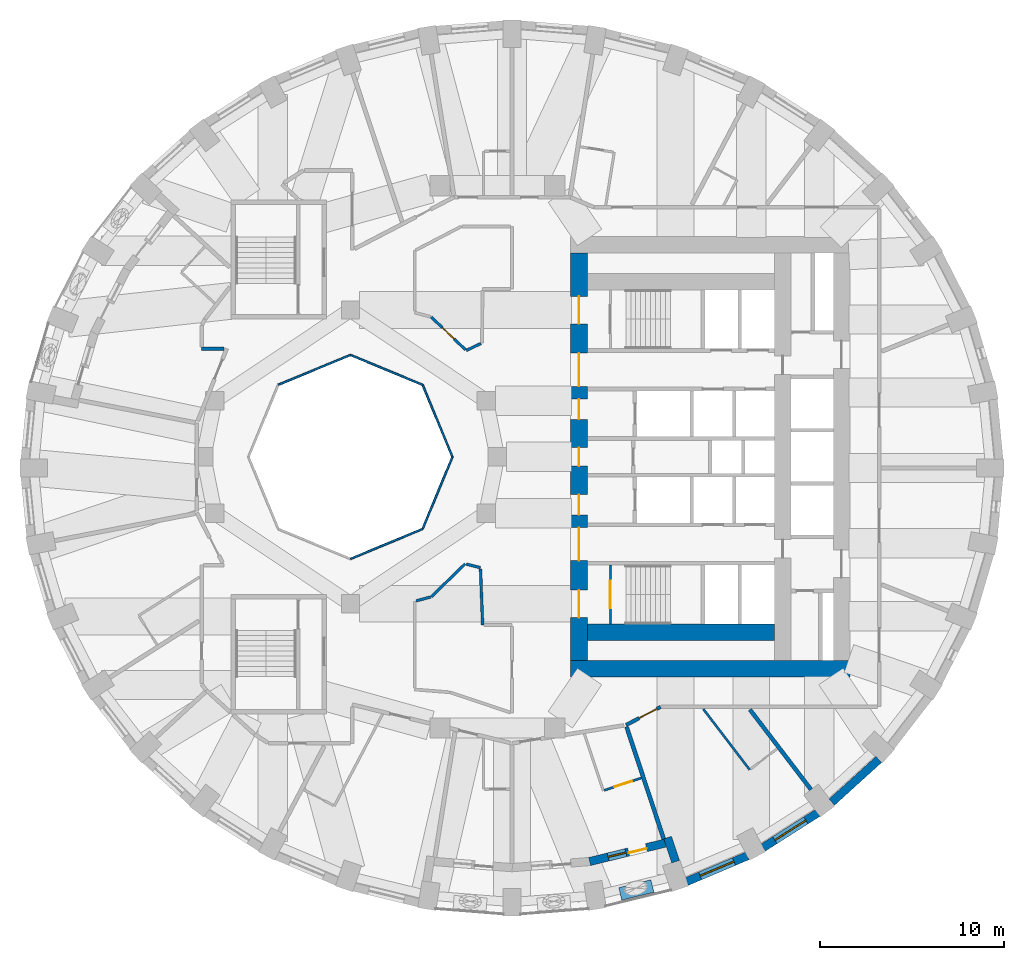
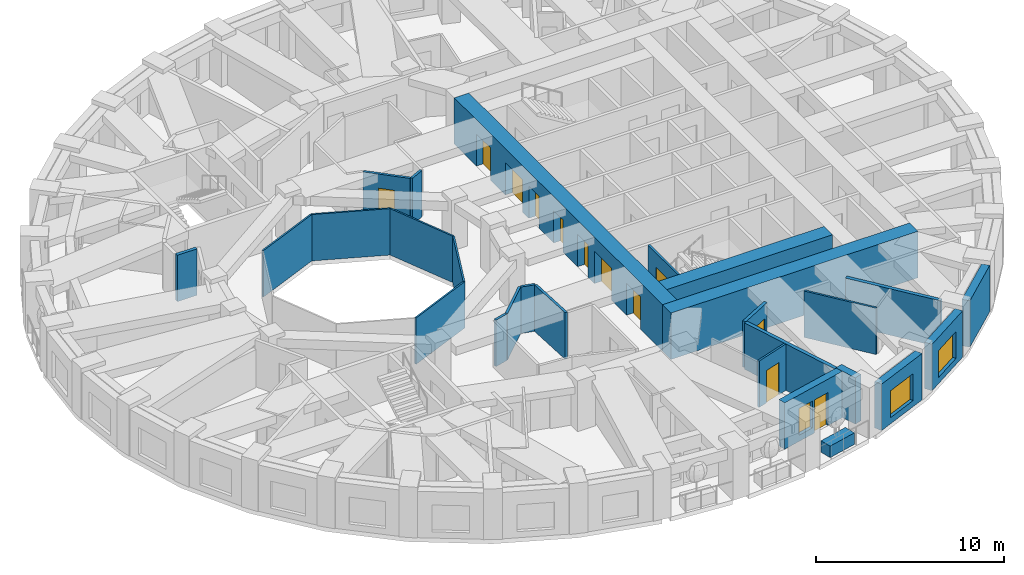
# One storey, part 5 of 13: 27 walls, 12 doors, 3 windows, 15 openings.
"""IFC4 building model written with IfcOpenShell, lengths in metres."""

import ifcopenshell
import ifcopenshell.guid

model = None  # the IFC model being written
_history = None  # IfcOwnerHistory: only IFC2X3 demands one
_inside = {}  # id of a spatial element -> (the spatial element, [elements in it])
_under = {}  # id of a project, library or spatial element -> (it, [spatial elements below it])
_declared = {}  # id of a project -> (the project, [libraries it declares])
_typed = {}  # id of a type object -> (the type object, [elements of that type])
_made_of = {}  # id of a material, layer set ... -> (it, [elements and type objects made of it])


def new_model(schema):
    """Start an empty IFC model of exactly this schema.

    Asked for "IFC4X3", IfcOpenShell would pick the latest addendum, in which some entities
    have other attributes; the version numbers below select the first issue.
    IFC2X3 requires an IfcOwnerHistory on every rooted entity: one is made here for all.
    """
    global model, _history
    if schema == "IFC4X3":
        model = ifcopenshell.file(schema_version=(4, 3, 0, 0))
    else:
        model = ifcopenshell.file(schema=schema)
    _inside.clear()
    _under.clear()
    _declared.clear()
    _typed.clear()
    _made_of.clear()
    _history = None
    if model.schema == "IFC2X3":
        org = make("IfcOrganization", Name="unknown")
        user = make(
            "IfcPersonAndOrganization",
            ThePerson=make("IfcPerson", FamilyName="unknown"),
            TheOrganization=org,
        )
        app = make(
            "IfcApplication",
            ApplicationDeveloper=org,
            Version="unknown",
            ApplicationFullName="unknown",
            ApplicationIdentifier="unknown",
        )
        _history = make(
            "IfcOwnerHistory",
            OwningUser=user,
            OwningApplication=app,
            ChangeAction="ADDED",
            CreationDate=0,
        )
    return model


def make(cls, **values):
    """One entity of the class cls with the attributes given. An attribute that is None is left unset."""
    return model.create_entity(
        cls, **{name: value for name, value in values.items() if value is not None}
    )


def rooted(cls, **values):
    """An entity with a GlobalId (a new one), such as an element, a storey or a relation."""
    return make(cls, GlobalId=ifcopenshell.guid.new(), OwnerHistory=_history, **values)


def si_unit(unit_type, name, prefix=None):
    """IfcSIUnit, for example si_unit("LENGTHUNIT", "METRE", prefix="MILLI")."""
    return make("IfcSIUnit", UnitType=unit_type, Prefix=prefix, Name=name)


def assignment(units):
    """IfcUnitAssignment: the units of a project."""
    return None if units is None else make("IfcUnitAssignment", Units=units)


def point(xyz):
    """IfcCartesianPoint."""
    return None if xyz is None else make("IfcCartesianPoint", Coordinates=xyz)


def direction(xyz):
    """IfcDirection."""
    return None if xyz is None else make("IfcDirection", DirectionRatios=xyz)


def frame(location, z_axis=None, x_axis=None):
    """IfcAxis2Placement3D, a coordinate frame: its origin and axes. An axis left out is left unset."""
    return make(
        "IfcAxis2Placement3D",
        Location=point(location),
        Axis=direction(z_axis),
        RefDirection=direction(x_axis),
    )


def frame_2d(location, x_axis=None):
    """IfcAxis2Placement2D, a coordinate frame in the plane: its origin and x axis."""
    return make(
        "IfcAxis2Placement2D", Location=point(location), RefDirection=direction(x_axis)
    )


def origin():
    """The frame at (0, 0, 0) with its axes left unset."""
    return frame((0.0, 0.0, 0.0))


def place(relative_to, where):
    """IfcLocalPlacement: puts the frame where relative to a parent placement (None: the world)."""
    return make(
        "IfcLocalPlacement", PlacementRelTo=relative_to, RelativePlacement=where
    )


def context(
    kind, dimensions, precision=None, world=None, true_north=None, identifier=None
):
    """IfcGeometricRepresentationContext, for example the 3D "Model" context."""
    return make(
        "IfcGeometricRepresentationContext",
        ContextIdentifier=identifier,
        ContextType=kind,
        CoordinateSpaceDimension=dimensions,
        Precision=precision,
        WorldCoordinateSystem=world,
        TrueNorth=true_north,
    )


def subcontext(parent, identifier, kind, view, scale=None):
    """IfcGeometricRepresentationSubContext, for example "Body" below "Model"."""
    return make(
        "IfcGeometricRepresentationSubContext",
        ContextIdentifier=identifier,
        ContextType=kind,
        ParentContext=parent,
        TargetScale=scale,
        TargetView=view,
    )


def project(units=None, contexts=None):
    """IfcProject with its units and contexts."""
    return rooted(
        "IfcProject",
        Name="project",
        RepresentationContexts=contexts,
        UnitsInContext=assignment(units),
    )


def spatial(cls, under=None, at=None, **own):
    """A site, building, storey or space (cls), placed at a placement, below another one or the project."""
    s = rooted(cls, ObjectPlacement=at, **own)
    if under is not None:
        _under.setdefault(under.id(), (under, []))[1].append(s)
    return s


def profile(cls, at=None, kind="AREA", **sizes):
    """A parametric profile (cls). Its sizes go by their IFC names, for example OverallWidth=200.0."""
    return make(cls, ProfileType=kind, Position=at, **sizes)


def rectangle(**sizes):
    """IfcRectangleProfileDef."""
    return profile("IfcRectangleProfileDef", **sizes)


def extrude(swept, where, along, depth):
    """IfcExtrudedAreaSolid: the profile swept, set in the frame where, extruded along a direction by depth."""
    return make(
        "IfcExtrudedAreaSolid",
        SweptArea=swept,
        Position=where,
        ExtrudedDirection=direction(along),
        Depth=depth,
    )


def shape(context_of_items, identifier, shape_type, items):
    """IfcShapeRepresentation: the items that make up one representation, for example the "Body"."""
    return make(
        "IfcShapeRepresentation",
        ContextOfItems=context_of_items,
        RepresentationIdentifier=identifier,
        RepresentationType=shape_type,
        Items=items,
    )


def material(Name=None, Category=None):
    """IfcMaterial."""
    return make("IfcMaterial", Name=Name, Category=Category)


def layer(
    of_material, thickness, ventilated=None, Name=None, Category=None, Priority=None
):
    """IfcMaterialLayer: one layer of a wall or slab, of a material (None: an air gap)."""
    return make(
        "IfcMaterialLayer",
        Material=of_material,
        LayerThickness=thickness,
        IsVentilated=ventilated,
        Name=Name,
        Category=Category,
        Priority=Priority,
    )


def layer_set(layers, Name=None):
    """IfcMaterialLayerSet."""
    return make("IfcMaterialLayerSet", MaterialLayers=layers, LayerSetName=Name)


def constituent(of_material, Name=None, Category=None, fraction=None):
    """IfcMaterialConstituent: one of the materials an element consists of."""
    return make(
        "IfcMaterialConstituent",
        Name=Name,
        Material=of_material,
        Fraction=fraction,
        Category=Category,
    )


def constituent_set(constituents=None, Name=None):
    """IfcMaterialConstituentSet."""
    return make(
        "IfcMaterialConstituentSet", Name=Name, MaterialConstituents=constituents
    )


def made_of(thing, what):
    """Note that an element or type object is made of a material, layer set ...; save() writes the relation."""
    if what is not None:
        _made_of.setdefault(what.id(), (what, []))[1].append(thing)
    return thing


def type_object(cls, material=None, **own):
    """A type object (cls), such as IfcWallType, which elements share."""
    return made_of(rooted(cls, **own), material)


def element(
    cls,
    number,
    at=None,
    inside=None,
    cuts=None,
    type_object=None,
    material=None,
    context=None,
    identifier="Body",
    shape_type=None,
    held_by="IfcProductDefinitionShape",
    body=None,
    shapes=None,
    **own,
):
    """One element of the class cls, such as IfcWall. Its Tag is "e" and its number.

    at: its placement. inside: the storey or other place that contains it. cuts: it is an
    opening in that element (IfcRelVoidsElement). A single representation is given by context,
    identifier, shape_type and body (its items); several are given by shapes. held_by: the class
    of the entity that holds the representations. save() writes the other relations.
    """
    e = rooted(cls, Tag="e%d" % number, ObjectPlacement=at, **own)
    if body is not None:
        shapes = [shape(context, identifier, shape_type, body)]
    if shapes is not None:
        e.Representation = make(held_by, Representations=shapes)
    if inside is not None:
        _inside.setdefault(inside.id(), (inside, []))[1].append(e)
    if cuts is not None:
        rooted(
            "IfcRelVoidsElement", RelatingBuildingElement=cuts, RelatedOpeningElement=e
        )
    if type_object is not None:
        _typed.setdefault(type_object.id(), (type_object, []))[1].append(e)
    return made_of(e, material)


def fill(opening, filler):
    """IfcRelFillsElement: the door or window that sits in an opening."""
    return rooted(
        "IfcRelFillsElement",
        RelatingOpeningElement=opening,
        RelatedBuildingElement=filler,
    )


def aggregate(whole, parts):
    """IfcRelAggregates: a whole, such as a stair, and the parts it consists of."""
    return rooted("IfcRelAggregates", RelatingObject=whole, RelatedObjects=parts)


def save(model, path):
    """Write the relations noted so far, then the file.

    IfcRelAggregates (storeys below a building ...), IfcRelContainedInSpatialStructure (elements
    in a storey), IfcRelDefinesByType, IfcRelAssociatesMaterial and IfcRelDeclares: one each for
    every whole, place, type object, material and project.
    """
    for whole, parts in _under.values():
        aggregate(whole, parts)
    for where, things in _inside.values():
        rooted(
            "IfcRelContainedInSpatialStructure",
            RelatedElements=things,
            RelatingStructure=where,
        )
    for kind, things in _typed.values():
        rooted("IfcRelDefinesByType", RelatedObjects=things, RelatingType=kind)
    for what, things in _made_of.values():
        rooted("IfcRelAssociatesMaterial", RelatedObjects=things, RelatingMaterial=what)
    for by, libraries in _declared.values():
        rooted("IfcRelDeclares", RelatingContext=by, RelatedDefinitions=libraries)
    model.write(path)


model = new_model("IFC4")

# Units and contexts
model_context = context("Model", 3, precision=1e-05, world=origin(), true_north=direction((0.0, 1.0)))
body_context = subcontext(model_context, "Body", "Model", "MODEL_VIEW")
ifc_project = project(units=[si_unit("LENGTHUNIT", "METRE"), si_unit("AREAUNIT", "SQUARE_METRE"), si_unit("VOLUMEUNIT", "CUBIC_METRE"), si_unit("PLANEANGLEUNIT", "RADIAN"), si_unit("MASSUNIT", "GRAM", prefix="KILO")], contexts=[model_context])

# Site, building, storey
site_placement = place(None, origin())
site = spatial("IfcSite", under=ifc_project, at=site_placement, CompositionType="ELEMENT")
building_placement = place(site_placement, origin())
building = spatial("IfcBuilding", under=site, at=building_placement, Name="Taillehof Tower", CompositionType="ELEMENT")
storey_placement = place(building_placement, frame((0.0, 0.0, 112.0)))
storey = spatial("IfcBuildingStorey", under=building, at=storey_placement, Name="L31", CompositionType="ELEMENT", Elevation=112.0)

# Walls
ifc_material_1 = material(Name="Fire-resisting glass in steel frame", Category="steel")
ifc_layer_1 = layer(ifc_material_1, 0.10009765625)
ifc_layer_set_1 = layer_set([ifc_layer_1], Name="Atrium fire-resisting screen EI 60 100")
wall_type_1 = type_object("IfcWallType", Name="Atrium fire-resisting screen EI 60 100", PredefinedType="PARTITIONING", material=ifc_layer_set_1)
for number, where, z_axis, x_axis, name in (
    (1, (-2.44580078125, 0.0, 0.0), (0.0, 0.0, 1.0), (-0.382730523909, -0.923860025149, 0.0), "Atrium screen"),
    (2, (-4.07275390625, -3.92724609375, 0.0), (0.0, 0.0, 1.0), (-0.923860025149, -0.382730523909, 0.0), "Atrium screen"),
    (3, (-11.92724609375, 3.92724609375, 0.0), (0.0, 0.0, 1.0), (0.923860025149, 0.382730523909, 0.0), "Atrium screen"),
    (4, (-8.0, 5.55419921875, 0.0), (0.0, 0.0, 1.0), (0.923860025149, -0.382730523909, 0.0), "Atrium screen"),
    (5, (-4.07275390625, 3.92724609375, 0.0), (0.0, 0.0, 1.0), (0.382730523909, -0.923860025149, 0.0), "Atrium screen"),
):
    element("IfcWall", number, at=place(storey_placement, frame(where, z_axis=z_axis, x_axis=x_axis)), inside=storey, type_object=wall_type_1, Name=name, PredefinedType="PARTITIONING", context=body_context, shape_type="SweptSolid", body=[
        extrude(rectangle(XDim=4.2509765625, YDim=0.10009765625, at=frame_2d((2.12548828125, 0.0))), origin(), (0.0, 0.0, 1.0), 3.02001953125),
    ])

# Wall, opening, window
ifc_material_2 = material(Name="Brick masonry", Category="masonry")
ifc_layer_2 = layer(ifc_material_2, 0.449951171875)
ifc_layer_set_2 = layer_set([ifc_layer_2], Name="Brick infill wall 450")
wall_type_2 = type_object("IfcWallType", Name="Brick infill wall 450", PredefinedType="SOLIDWALL", material=ifc_layer_set_2)
wall_1_placement = place(storey_placement, frame((10.318115234375, -23.133544921875, 0.0), z_axis=(0.0, 0.0, 1.0), x_axis=(0.920869643542, 0.389870619055, 0.0)))
wall_1 = element("IfcWall", 6, at=wall_1_placement, inside=storey, type_object=wall_type_2, Name="Brick wall L31 bay 30", PredefinedType="SOLIDWALL", context=body_context, shape_type="SweptSolid", body=[
    extrude(rectangle(XDim=3.59130859375, YDim=0.449951171875, at=frame_2d((1.795654296875, 0.0))), origin(), (0.0, 0.0, 1.0), 3.02001953125),
])
opening_1_placement = place(wall_1_placement, frame((0.795654296875, 0.0, 0.39990234375)))
opening_1 = element("IfcOpeningElement", 7, at=opening_1_placement, cuts=wall_1, Name="Opening W2", PredefinedType="OPENING", context=body_context, shape_type="SweptSolid", body=[
    extrude(rectangle(XDim=2.0, YDim=1.75, at=frame_2d((1.0, 0.875))), frame((0.0, 0.23486328125, 0.0), z_axis=(0.0, -1.0, 0.0), x_axis=(1.0, 0.0, 0.0)), (0.0, 0.0, 1.0), 0.469970703125),
])
ifc_material_3 = material(Name="Aluminium window frame with clear double glazing", Category="aluminium")
window_type_1 = type_object("IfcWindowType", Name="Deep-set window 2000x1750", PartitioningType="SINGLE_PANEL", PredefinedType="WINDOW", material=ifc_material_3)
window_1_placement = place(opening_1_placement, origin())
window_1 = element("IfcWindow", 8, at=window_1_placement, inside=storey, type_object=window_type_1, Name="W2", OverallHeight=1.75, OverallWidth=2.0, PartitioningType="SINGLE_PANEL", PredefinedType="WINDOW", context=body_context, shape_type="SweptSolid", body=[
    extrude(rectangle(XDim=2.0, YDim=1.75, at=frame_2d((1.0, 0.875))), frame((0.0, 0.034912109375, 0.0), z_axis=(0.0, -1.0, 0.0), x_axis=(1.0, 0.0, 0.0)), (0.0, 0.0, 1.0), 0.06005859375),
])
fill(opening_1, window_1)

wall_2_placement = place(storey_placement, frame((14.475341796875, -21.287109375, 0.0), z_axis=(0.0, 0.0, 1.0), x_axis=(0.843911841423, 0.536481876587, 0.0)))
wall_2 = element("IfcWall", 9, at=wall_2_placement, inside=storey, type_object=wall_type_2, Name="Brick wall L31 bay 31", PredefinedType="SOLIDWALL", context=body_context, shape_type="SweptSolid", body=[
    extrude(rectangle(XDim=3.5322265625, YDim=0.449951171875, at=frame_2d((1.76611328125, 0.0))), origin(), (0.0, 0.0, 1.0), 3.02001953125),
])
opening_2_placement = place(wall_2_placement, frame((0.76611328125, 0.0, 0.39990234375)))
opening_2 = element("IfcOpeningElement", 10, at=opening_2_placement, cuts=wall_2, Name="Opening W2", PredefinedType="OPENING", context=body_context, shape_type="SweptSolid", body=[
    extrude(rectangle(XDim=2.0, YDim=1.75, at=frame_2d((1.0, 0.875))), frame((0.0, 0.23486328125, 0.0), z_axis=(0.0, -1.0, 0.0), x_axis=(1.0, 0.0, 0.0)), (0.0, 0.0, 1.0), 0.469970703125),
])
window_2_placement = place(opening_2_placement, origin())
window_2 = element("IfcWindow", 11, at=window_2_placement, inside=storey, type_object=window_type_1, Name="W2", OverallHeight=1.75, OverallWidth=2.0, PartitioningType="SINGLE_PANEL", PredefinedType="WINDOW", context=body_context, shape_type="SweptSolid", body=[
    extrude(rectangle(XDim=2.0, YDim=1.75, at=frame_2d((1.0, 0.875))), frame((0.0, 0.034912109375, 0.0), z_axis=(0.0, -1.0, 0.0), x_axis=(1.0, 0.0, 0.0)), (0.0, 0.0, 1.0), 0.06005859375),
])
fill(opening_2, window_2)

# Walls
wall_3_placement = place(storey_placement, frame((18.219482421875, -18.8095703125, 0.0), z_axis=(0.0, 0.0, 1.0), x_axis=(0.740364106106, 0.672206062446, 0.0)))
element("IfcWall", 12, at=wall_3_placement, inside=storey, type_object=wall_type_2, Name="Brick wall L31 bay 32", PredefinedType="SOLIDWALL", context=body_context, shape_type="SweptSolid", body=[
    extrude(rectangle(XDim=3.4638671875, YDim=0.449951171875, at=frame_2d((1.73193359375, 0.0))), origin(), (0.0, 0.0, 1.0), 3.02001953125),
])
wall_4_placement = place(storey_placement, frame((9.71435546875, -22.05322265625, 0.0), z_axis=(0.0, 0.0, 1.0), x_axis=(-0.314647068585, 0.949208734805, 0.0)))
element("IfcWall", 13, at=wall_4_placement, inside=storey, type_object=wall_type_2, Name="Brick reveal L31 pocket 8", PredefinedType="SOLIDWALL", context=body_context, shape_type="SweptSolid", body=[
    extrude(rectangle(XDim=1.390380859375, YDim=0.449951171875, at=frame_2d((0.6953125, 0.0))), origin(), (0.0, 0.0, 1.0), 3.02001953125),
])

# Wall, openings, door, window
wall_5_placement = place(storey_placement, frame((5.02001953125, -22.041015625, 0.0), z_axis=(0.0, 0.0, 1.0), x_axis=(0.971521631711, 0.236950879125, 0.0)))
wall_5 = element("IfcWall", 14, at=wall_5_placement, inside=storey, type_object=wall_type_2, Name="Brick wall L31 pocket bay 29", PredefinedType="SOLIDWALL", context=body_context, shape_type="SweptSolid", body=[
    extrude(rectangle(XDim=4.240966796875, YDim=0.449951171875, at=frame_2d((2.12060546875, 0.0))), origin(), (0.0, 0.0, 1.0), 3.02001953125),
])
opening_3_placement = place(wall_5_placement, frame((1.04541015625, 0.0, 0.39990234375)))
opening_3 = element("IfcOpeningElement", 15, at=opening_3_placement, cuts=wall_5, Name="Opening W5", PredefinedType="OPENING", context=body_context, shape_type="SweptSolid", body=[
    extrude(rectangle(XDim=1.0, YDim=1.75, at=frame_2d((0.5, 0.875))), frame((0.0, 0.23486328125, 0.0), z_axis=(0.0, -1.0, 0.0), x_axis=(1.0, 0.0, 0.0)), (0.0, 0.0, 1.0), 0.469970703125),
])
opening_4_placement = place(wall_5_placement, frame((2.195556640625, 0.0, 0.0)))
opening_4 = element("IfcOpeningElement", 16, at=opening_4_placement, cuts=wall_5, Name="Opening D3196", PredefinedType="OPENING", context=body_context, shape_type="SweptSolid", body=[
    extrude(rectangle(XDim=1.0, YDim=2.14990234375, at=frame_2d((0.5, 1.074951171875))), frame((0.0, 0.23486328125, 0.0), z_axis=(0.0, -1.0, 0.0), x_axis=(1.0, 0.0, 0.0)), (0.0, 0.0, 1.0), 0.469970703125),
])
ifc_material_4 = material(Name="Aluminium door frame with clear double glazing", Category="aluminium")
door_type_1 = type_object("IfcDoorType", Name="Balcony door 1000x2150", OperationType="SINGLE_SWING_RIGHT", PredefinedType="DOOR", material=ifc_material_4)
door_1_placement = place(opening_4_placement, frame((1.0, 0.0, 0.0), z_axis=(0.0, 0.0, 1.0), x_axis=(-1.0, 0.0, 0.0)))
door_1 = element("IfcDoor", 17, at=door_1_placement, inside=storey, type_object=door_type_1, Name="Balcony door L31 bay 29", OperationType="SINGLE_SWING_LEFT", OverallHeight=2.14990234375, OverallWidth=1.0, PredefinedType="DOOR", context=body_context, shape_type="SweptSolid", body=[
    extrude(rectangle(XDim=1.0, YDim=2.14990234375, at=frame_2d((0.5, 1.074951171875))), frame((0.0, 0.0751953125, 0.0), z_axis=(0.0, -1.0, 0.0), x_axis=(1.0, 0.0, 0.0)), (0.0, 0.0, 1.0), 0.050048828125),
])
fill(opening_4, door_1)
ifc_material_5 = material(Name="Aluminium window frame with clear double glazing", Category="aluminium")
window_type_2 = type_object("IfcWindowType", Name="Fixed window 1000x1750", PartitioningType="SINGLE_PANEL", PredefinedType="WINDOW", material=ifc_material_5)
window_3_placement = place(opening_3_placement, origin())
window_3 = element("IfcWindow", 18, at=window_3_placement, inside=storey, type_object=window_type_2, Name="W5", OverallHeight=1.75, OverallWidth=1.0, PartitioningType="SINGLE_PANEL", PredefinedType="WINDOW", context=body_context, shape_type="SweptSolid", body=[
    extrude(rectangle(XDim=1.0, YDim=1.75, at=frame_2d((0.5, 0.875))), frame((0.0, 0.034912109375, 0.0), z_axis=(0.0, -1.0, 0.0), x_axis=(1.0, 0.0, 0.0)), (0.0, 0.0, 1.0), 0.06005859375),
])
fill(opening_3, window_3)

# Wall
ifc_material_6 = material(Name="Gypsum board on steel studs, two layers each side", Category="steel")
ifc_layer_3 = layer(ifc_material_6, 0.199951171875)
ifc_layer_set_3 = layer_set([ifc_layer_3], Name="Compartment wall corridor 200")
wall_type_3 = type_object("IfcWallType", Name="Compartment wall corridor 200", PredefinedType="PARTITIONING", material=ifc_layer_set_3)
wall_6_placement = place(storey_placement, frame((-14.878662109375, 5.89990234375, 0.0), z_axis=(0.0, 0.0, 1.0), x_axis=(-1.0, 0.0, 0.0)))
element("IfcWall", 19, at=wall_6_placement, inside=storey, type_object=wall_type_3, Name="Compartment wall", PredefinedType="PARTITIONING", context=body_context, shape_type="SweptSolid", body=[
    extrude(rectangle(XDim=1.221435546875, YDim=0.199951171875, at=frame_2d((0.61083984375, 0.0))), origin(), (0.0, 0.0, 1.0), 3.02001953125),
])

# Wall, opening, door
wall_7_placement = place(storey_placement, frame((8.892333984375, -13.61865234375, 0.0), z_axis=(0.0, 0.0, 1.0), x_axis=(-0.885696642175, -0.464264426852, 0.0)))
wall_7 = element("IfcWall", 20, at=wall_7_placement, inside=storey, type_object=wall_type_3, Name="Compartment wall", PredefinedType="PARTITIONING", context=body_context, shape_type="SweptSolid", body=[
    extrude(rectangle(XDim=2.1259765625, YDim=0.199951171875, at=frame_2d((1.06298828125, 0.0))), origin(), (0.0, 0.0, 1.0), 3.02001953125),
])
opening_5_placement = place(wall_7_placement, frame((0.219970703125, 0.0, 0.0)))
opening_5 = element("IfcOpeningElement", 21, at=opening_5_placement, cuts=wall_7, Name="Opening D3162", PredefinedType="OPENING", context=body_context, shape_type="SweptSolid", body=[
    extrude(rectangle(XDim=1.10009765625, YDim=2.10009765625, at=frame_2d((0.550048828125, 1.050048828125))), frame((0.0, 0.10986328125, 0.0), z_axis=(0.0, -1.0, 0.0), x_axis=(1.0, 0.0, 0.0)), (0.0, 0.0, 1.0), 0.219970703125),
])
ifc_material_7 = material(Name="Timber door leaf in steel frame", Category="steel")
door_type_2 = type_object("IfcDoorType", Name="Suite entrance door EI 30 1100 x 2100", OperationType="SINGLE_SWING_LEFT", PredefinedType="DOOR", material=ifc_material_7)
door_2_placement = place(opening_5_placement, origin())
door_2 = element("IfcDoor", 22, at=door_2_placement, inside=storey, type_object=door_type_2, Name="D3162", OperationType="SINGLE_SWING_LEFT", OverallHeight=2.10009765625, OverallWidth=1.10009765625, PredefinedType="DOOR", context=body_context, shape_type="SweptSolid", body=[
    extrude(rectangle(XDim=1.10009765625, YDim=2.10009765625, at=frame_2d((0.550048828125, 1.050048828125))), frame((0.0, 0.02490234375, 0.0), z_axis=(0.0, -1.0, 0.0), x_axis=(1.0, 0.0, 0.0)), (0.0, 0.0, 1.0), 0.050048828125),
])
fill(opening_5, door_2)

# Walls
ifc_material_8 = material(Name="Gypsum board on double steel studs with mineral wool", Category="steel")
ifc_layer_4 = layer(ifc_material_8, 0.219970703125)
ifc_layer_set_4 = layer_set([ifc_layer_4], Name="Compartment wall guest room 220")
wall_type_4 = type_object("IfcWallType", Name="Compartment wall guest room 220", PredefinedType="PARTITIONING", material=ifc_layer_set_4)
wall_8_placement = place(storey_placement, frame((9.069091796875, -20.82177734375, 0.0), z_axis=(0.0, 0.0, 1.0), x_axis=(-0.31452344537, 0.949249704932, 0.0)))
element("IfcWall", 23, at=wall_8_placement, inside=storey, type_object=wall_type_4, Name="Compartment wall", PredefinedType="PARTITIONING", context=body_context, shape_type="SweptSolid", body=[
    extrude(rectangle(XDim=6.447998046875, YDim=0.219970703125, at=frame_2d((3.22412109375, 0.0))), origin(), (0.0, 0.0, 1.0), 3.02001953125),
])
wall_9_placement = place(storey_placement, frame((17.08935546875, -18.120849609375, 0.0), z_axis=(0.0, 0.0, 1.0), x_axis=(-0.607064955951, 0.794652212767, 0.0)))
element("IfcWall", 24, at=wall_9_placement, inside=storey, type_object=wall_type_4, Name="Compartment wall", PredefinedType="PARTITIONING", context=body_context, shape_type="SweptSolid", body=[
    extrude(rectangle(XDim=5.483154296875, YDim=0.219970703125, at=frame_2d((2.74169921875, 0.0))), origin(), (0.0, 0.0, 1.0), 3.02001953125),
])
ifc_material_9 = material(Name="Gypsum board on steel studs, two layers each side", Category="steel")
ifc_layer_5 = layer(ifc_material_9, 0.14990234375)
ifc_layer_set_5 = layer_set([ifc_layer_5], Name="Compartment wall service room 150")
wall_type_5 = type_object("IfcWallType", Name="Compartment wall service room 150", PredefinedType="PARTITIONING", material=ifc_layer_set_5)
wall_10_placement = place(storey_placement, frame((-0.891845703125, 6.1787109375, 0.0), z_axis=(0.0, 0.0, 1.0), x_axis=(-0.903944794982, -0.427649164181, 0.0)))
element("IfcWall", 25, at=wall_10_placement, inside=storey, type_object=wall_type_5, Name="Compartment wall", PredefinedType="PARTITIONING", context=body_context, shape_type="SweptSolid", body=[
    extrude(rectangle(XDim=0.88818359375, YDim=0.14990234375, at=frame_2d((0.444091796875, 0.0))), origin(), (0.0, 0.0, 1.0), 3.02001953125),
])

# Wall, opening, door
wall_11_placement = place(storey_placement, frame((-1.738037109375, 5.840576171875, 0.0), z_axis=(0.0, 0.0, 1.0), x_axis=(-0.722802374111, 0.691054793761, 0.0)))
wall_11 = element("IfcWall", 26, at=wall_11_placement, inside=storey, type_object=wall_type_5, Name="Compartment wall", PredefinedType="PARTITIONING", context=body_context, shape_type="SweptSolid", body=[
    extrude(rectangle(XDim=2.576171875, YDim=0.14990234375, at=frame_2d((1.2880859375, 0.0))), origin(), (0.0, 0.0, 1.0), 3.02001953125),
])
opening_6_placement = place(wall_11_placement, frame((0.838134765625, 0.0, 0.0)))
opening_6 = element("IfcOpeningElement", 27, at=opening_6_placement, cuts=wall_11, Name="Opening D3168", PredefinedType="OPENING", context=body_context, shape_type="SweptSolid", body=[
    extrude(rectangle(XDim=0.89990234375, YDim=2.10009765625, at=frame_2d((0.449951171875, 1.050048828125))), frame((0.0, 0.0849609375, 0.0), z_axis=(0.0, -1.0, 0.0), x_axis=(1.0, 0.0, 0.0)), (0.0, 0.0, 1.0), 0.169921875),
])
ifc_material_10 = material(Name="Timber door leaf in steel frame", Category="steel")
door_type_3 = type_object("IfcDoorType", Name="Service room door EI 30 900 x 2100", OperationType="SINGLE_SWING_LEFT", PredefinedType="DOOR", material=ifc_material_10)
door_3_placement = place(opening_6_placement, origin())
door_3 = element("IfcDoor", 28, at=door_3_placement, inside=storey, type_object=door_type_3, Name="D3168", OperationType="SINGLE_SWING_RIGHT", OverallHeight=2.10009765625, OverallWidth=0.89990234375, PredefinedType="DOOR", context=body_context, shape_type="SweptSolid", body=[
    extrude(rectangle(XDim=0.89990234375, YDim=2.10009765625, at=frame_2d((0.449951171875, 1.050048828125))), frame((0.0, 0.02490234375, 0.0), z_axis=(0.0, -1.0, 0.0), x_axis=(1.0, 0.0, 0.0)), (0.0, 0.0, 1.0), 0.050048828125),
])
fill(opening_6, door_3)

# Walls
wall_12_placement = place(storey_placement, frame((-3.60009765625, -7.620849609375, 0.0), z_axis=(0.0, 0.0, 1.0), x_axis=(0.717359204099, 0.696703503862, 0.0)))
element("IfcWall", 29, at=wall_12_placement, inside=storey, type_object=wall_type_5, Name="Compartment wall", PredefinedType="PARTITIONING", context=body_context, shape_type="SweptSolid", body=[
    extrude(rectangle(XDim=2.57666015625, YDim=0.14990234375, at=frame_2d((1.288330078125, 0.0))), origin(), (0.0, 0.0, 1.0), 3.02001953125),
])
wall_13_placement = place(storey_placement, frame((-1.69384765625, -5.84033203125, 0.0), z_axis=(0.0, 0.0, 1.0), x_axis=(0.970106576928, -0.242679272705, 0.0)))
element("IfcWall", 30, at=wall_13_placement, inside=storey, type_object=wall_type_5, Name="Compartment wall", PredefinedType="PARTITIONING", context=body_context, shape_type="SweptSolid", body=[
    extrude(rectangle(XDim=0.7998046875, YDim=0.14990234375, at=frame_2d((0.39990234375, 0.0))), origin(), (0.0, 0.0, 1.0), 3.02001953125),
])
wall_14_placement = place(storey_placement, frame((-0.9150390625, -6.114501953125, 0.0), z_axis=(0.0, 0.0, 1.0), x_axis=(0.037855898917, -0.999283208564, 0.0)))
element("IfcWall", 31, at=wall_14_placement, inside=storey, type_object=wall_type_5, Name="Compartment wall", PredefinedType="PARTITIONING", context=body_context, shape_type="SweptSolid", body=[
    extrude(rectangle(XDim=3.03759765625, YDim=0.14990234375, at=frame_2d((1.518798828125, 0.0))), origin(), (0.0, 0.0, 1.0), 3.02001953125),
])
wall_15_placement = place(storey_placement, frame((-4.4228515625, -7.841552734375, 0.0), z_axis=(0.0, 0.0, 1.0), x_axis=(0.96582447955, 0.259196980502, 0.0)))
element("IfcWall", 32, at=wall_15_placement, inside=storey, type_object=wall_type_5, Name="Compartment wall", PredefinedType="PARTITIONING", context=body_context, shape_type="SweptSolid", body=[
    extrude(rectangle(XDim=0.81201171875, YDim=0.14990234375, at=frame_2d((0.406005859375, 0.0))), origin(), (0.0, 0.0, 1.0), 3.02001953125),
])

# Wall, openings, doors
ifc_material_11 = material(Name="Concrete C80/95", Category="concrete")
ifc_layer_6 = layer(ifc_material_11, 0.89990234375)
ifc_layer_set_6 = layer_set([ifc_layer_6], Name="Core wall C80/95 900")
wall_type_6 = type_object("IfcWallType", Name="Core wall C80/95 900", PredefinedType="SHEAR", material=ifc_layer_set_6)
wall_16_placement = place(storey_placement, frame((4.449951171875, -11.10009765625, 0.0), z_axis=(0.0, 0.0, 1.0), x_axis=(0.0, 1.0, 0.0)))
wall_16 = element("IfcWall", 33, at=wall_16_placement, inside=storey, type_object=wall_type_6, Name="Core wall CW01", PredefinedType="SHEAR", context=body_context, shape_type="SweptSolid", body=[
    extrude(rectangle(XDim=22.2001953125, YDim=0.89990234375, at=frame_2d((11.10009765625, 0.0))), origin(), (0.0, 0.0, 1.0), 3.02001953125),
])
opening_7_placement = place(wall_16_placement, frame((2.35009765625, 0.0, 0.0)))
opening_7 = element("IfcOpeningElement", 34, at=opening_7_placement, cuts=wall_16, Name="Opening D3101", PredefinedType="OPENING", context=body_context, shape_type="SweptSolid", body=[
    extrude(rectangle(XDim=1.5, YDim=2.10009765625, at=frame_2d((0.75, 1.050048828125))), frame((0.0, 0.4599609375, 0.0), z_axis=(0.0, -1.0, 0.0), x_axis=(1.0, 0.0, 0.0)), (0.0, 0.0, 1.0), 0.919921875),
])
opening_8_placement = place(wall_16_placement, frame((5.449951171875, 0.0, 0.0)))
opening_8 = element("IfcOpeningElement", 35, at=opening_8_placement, cuts=wall_16, Name="Opening D3102", PredefinedType="OPENING", context=body_context, shape_type="SweptSolid", body=[
    extrude(rectangle(XDim=1.800048828125, YDim=2.10009765625, at=frame_2d((0.89990234375, 1.050048828125))), frame((0.0, 0.4599609375, 0.0), z_axis=(0.0, -1.0, 0.0), x_axis=(1.0, 0.0, 0.0)), (0.0, 0.0, 1.0), 0.919921875),
])
opening_9_placement = place(wall_16_placement, frame((7.949951171875, 0.0, 0.0)))
opening_9 = element("IfcOpeningElement", 36, at=opening_9_placement, cuts=wall_16, Name="Opening D3103", PredefinedType="OPENING", context=body_context, shape_type="SweptSolid", body=[
    extrude(rectangle(XDim=1.10009765625, YDim=2.10009765625, at=frame_2d((0.550048828125, 1.050048828125))), frame((0.0, 0.4599609375, 0.0), z_axis=(0.0, -1.0, 0.0), x_axis=(1.0, 0.0, 0.0)), (0.0, 0.0, 1.0), 0.919921875),
])
opening_10_placement = place(wall_16_placement, frame((10.60009765625, 0.0, 0.0)))
opening_10 = element("IfcOpeningElement", 37, at=opening_10_placement, cuts=wall_16, Name="Opening D3104", PredefinedType="OPENING", context=body_context, shape_type="SweptSolid", body=[
    extrude(rectangle(XDim=1.0, YDim=2.10009765625, at=frame_2d((0.5, 1.050048828125))), frame((0.0, 0.4599609375, 0.0), z_axis=(0.0, -1.0, 0.0), x_axis=(1.0, 0.0, 0.0)), (0.0, 0.0, 1.0), 0.919921875),
])
opening_11_placement = place(wall_16_placement, frame((13.14990234375, 0.0, 0.0)))
opening_11 = element("IfcOpeningElement", 38, at=opening_11_placement, cuts=wall_16, Name="Opening D3105", PredefinedType="OPENING", context=body_context, shape_type="SweptSolid", body=[
    extrude(rectangle(XDim=1.10009765625, YDim=2.10009765625, at=frame_2d((0.550048828125, 1.050048828125))), frame((0.0, 0.4599609375, 0.0), z_axis=(0.0, -1.0, 0.0), x_axis=(1.0, 0.0, 0.0)), (0.0, 0.0, 1.0), 0.919921875),
])
opening_12_placement = place(wall_16_placement, frame((14.949951171875, 0.0, 0.0)))
opening_12 = element("IfcOpeningElement", 39, at=opening_12_placement, cuts=wall_16, Name="Opening D3106", PredefinedType="OPENING", context=body_context, shape_type="SweptSolid", body=[
    extrude(rectangle(XDim=1.800048828125, YDim=2.10009765625, at=frame_2d((0.89990234375, 1.050048828125))), frame((0.0, 0.4599609375, 0.0), z_axis=(0.0, -1.0, 0.0), x_axis=(1.0, 0.0, 0.0)), (0.0, 0.0, 1.0), 0.919921875),
])
opening_13_placement = place(wall_16_placement, frame((18.35009765625, 0.0, 0.0)))
opening_13 = element("IfcOpeningElement", 40, at=opening_13_placement, cuts=wall_16, Name="Opening D3107", PredefinedType="OPENING", context=body_context, shape_type="SweptSolid", body=[
    extrude(rectangle(XDim=1.5, YDim=2.10009765625, at=frame_2d((0.75, 1.050048828125))), frame((0.0, 0.4599609375, 0.0), z_axis=(0.0, -1.0, 0.0), x_axis=(1.0, 0.0, 0.0)), (0.0, 0.0, 1.0), 0.919921875),
])
ifc_material_12 = material(Name="Steel-faced fire door", Category="steel")
door_type_4 = type_object("IfcDoorType", Name="Firefighting lobby door 1100x2100", OperationType="SINGLE_SWING_RIGHT", PredefinedType="DOOR", material=ifc_material_12)
door_4_placement = place(opening_9_placement, origin())
door_4 = element("IfcDoor", 41, at=door_4_placement, inside=storey, type_object=door_type_4, Name="Firefighting lobby door FFL-S", OperationType="SINGLE_SWING_RIGHT", OverallHeight=2.10009765625, OverallWidth=1.10009765625, PredefinedType="DOOR", context=body_context, shape_type="SweptSolid", body=[
    extrude(rectangle(XDim=1.10009765625, YDim=2.10009765625, at=frame_2d((0.550048828125, 1.050048828125))), frame((0.0, 0.02490234375, 0.0), z_axis=(0.0, -1.0, 0.0), x_axis=(1.0, 0.0, 0.0)), (0.0, 0.0, 1.0), 0.050048828125),
])
fill(opening_9, door_4)
door_5_placement = place(opening_11_placement, origin())
door_5 = element("IfcDoor", 42, at=door_5_placement, inside=storey, type_object=door_type_4, Name="Firefighting lobby door FFL-N", OperationType="SINGLE_SWING_LEFT", OverallHeight=2.10009765625, OverallWidth=1.10009765625, PredefinedType="DOOR", context=body_context, shape_type="SweptSolid", body=[
    extrude(rectangle(XDim=1.10009765625, YDim=2.10009765625, at=frame_2d((0.550048828125, 1.050048828125))), frame((0.0, 0.02490234375, 0.0), z_axis=(0.0, -1.0, 0.0), x_axis=(1.0, 0.0, 0.0)), (0.0, 0.0, 1.0), 0.050048828125),
])
fill(opening_11, door_5)
ifc_material_13 = material(Name="Steel-faced fire door", Category="steel")
door_type_5 = type_object("IfcDoorType", Name="Lift lobby door 1800x2100", OperationType="DOUBLE_DOOR_SINGLE_SWING", PredefinedType="DOOR", material=ifc_material_13)
door_6_placement = place(opening_8_placement, origin())
door_6 = element("IfcDoor", 43, at=door_6_placement, inside=storey, type_object=door_type_5, Name="Lift lobby door LL-S", OperationType="DOUBLE_DOOR_SINGLE_SWING", OverallHeight=2.10009765625, OverallWidth=1.800048828125, PredefinedType="DOOR", context=body_context, shape_type="SweptSolid", body=[
    extrude(rectangle(XDim=1.800048828125, YDim=2.10009765625, at=frame_2d((0.89990234375, 1.050048828125))), frame((0.0, 0.02490234375, 0.0), z_axis=(0.0, -1.0, 0.0), x_axis=(1.0, 0.0, 0.0)), (0.0, 0.0, 1.0), 0.050048828125),
])
fill(opening_8, door_6)
door_7_placement = place(opening_12_placement, origin())
door_7 = element("IfcDoor", 44, at=door_7_placement, inside=storey, type_object=door_type_5, Name="Lift lobby door LL-N", OperationType="DOUBLE_DOOR_SINGLE_SWING", OverallHeight=2.10009765625, OverallWidth=1.800048828125, PredefinedType="DOOR", context=body_context, shape_type="SweptSolid", body=[
    extrude(rectangle(XDim=1.800048828125, YDim=2.10009765625, at=frame_2d((0.89990234375, 1.050048828125))), frame((0.0, 0.02490234375, 0.0), z_axis=(0.0, -1.0, 0.0), x_axis=(1.0, 0.0, 0.0)), (0.0, 0.0, 1.0), 0.050048828125),
])
fill(opening_12, door_7)
ifc_material_14 = material(Name="Steel-faced fire door", Category="steel")
door_type_6 = type_object("IfcDoorType", Name="Service door 1000x2100", OperationType="SINGLE_SWING_RIGHT", PredefinedType="DOOR", material=ifc_material_14)
door_8_placement = place(opening_10_placement, origin())
door_8 = element("IfcDoor", 45, at=door_8_placement, inside=storey, type_object=door_type_6, Name="Service door SV", OperationType="SINGLE_SWING_RIGHT", OverallHeight=2.10009765625, OverallWidth=1.0, PredefinedType="DOOR", context=body_context, shape_type="SweptSolid", body=[
    extrude(rectangle(XDim=1.0, YDim=2.10009765625, at=frame_2d((0.5, 1.050048828125))), frame((0.0, 0.02490234375, 0.0), z_axis=(0.0, -1.0, 0.0), x_axis=(1.0, 0.0, 0.0)), (0.0, 0.0, 1.0), 0.050048828125),
])
fill(opening_10, door_8)
ifc_material_15 = material(Name="Steel-faced fire door", Category="steel")
door_type_7 = type_object("IfcDoorType", Name="Stair door 1500x2100", OperationType="DOUBLE_DOOR_SINGLE_SWING", PredefinedType="DOOR", material=ifc_material_15)
door_9_placement = place(opening_7_placement, origin())
door_9 = element("IfcDoor", 46, at=door_9_placement, inside=storey, type_object=door_type_7, Name="Stair door S2", OperationType="DOUBLE_DOOR_SINGLE_SWING", OverallHeight=2.10009765625, OverallWidth=1.5, PredefinedType="DOOR", context=body_context, shape_type="SweptSolid", body=[
    extrude(rectangle(XDim=1.5, YDim=2.10009765625, at=frame_2d((0.75, 1.050048828125))), frame((0.0, 0.02490234375, 0.0), z_axis=(0.0, -1.0, 0.0), x_axis=(1.0, 0.0, 0.0)), (0.0, 0.0, 1.0), 0.050048828125),
])
fill(opening_7, door_9)
door_10_placement = place(opening_13_placement, origin())
door_10 = element("IfcDoor", 47, at=door_10_placement, inside=storey, type_object=door_type_7, Name="Stair door S1", OperationType="DOUBLE_DOOR_SINGLE_SWING", OverallHeight=2.10009765625, OverallWidth=1.5, PredefinedType="DOOR", context=body_context, shape_type="SweptSolid", body=[
    extrude(rectangle(XDim=1.5, YDim=2.10009765625, at=frame_2d((0.75, 1.050048828125))), frame((0.0, 0.02490234375, 0.0), z_axis=(0.0, -1.0, 0.0), x_axis=(1.0, 0.0, 0.0)), (0.0, 0.0, 1.0), 0.050048828125),
])
fill(opening_13, door_10)

# Walls
wall_17_placement = place(storey_placement, frame((4.0, -11.550048828125, 0.0), z_axis=(0.0, 0.0, 1.0), x_axis=(1.0, 0.0, 0.0)))
element("IfcWall", 48, at=wall_17_placement, inside=storey, type_object=wall_type_6, Name="Core wall CW04", PredefinedType="SHEAR", context=body_context, shape_type="SweptSolid", body=[
    extrude(rectangle(XDim=15.199951171875, YDim=0.89990234375, at=frame_2d((7.60009765625, 0.0))), origin(), (0.0, 0.0, 1.0), 3.02001953125),
])
wall_18_placement = place(storey_placement, frame((4.89990234375, -9.550048828125, 0.0), z_axis=(0.0, 0.0, 1.0), x_axis=(1.0, 0.0, 0.0)))
element("IfcWall", 49, at=wall_18_placement, inside=storey, type_object=wall_type_6, Name="Core wall CW07", PredefinedType="SHEAR", context=body_context, shape_type="SweptSolid", body=[
    extrude(rectangle(XDim=10.2001953125, YDim=0.89990234375, at=frame_2d((5.10009765625, 0.0))), origin(), (0.0, 0.0, 1.0), 3.02001953125),
])
ifc_material_16 = material(Name="Gypsum board on steel studs, moisture resistant", Category="steel")
ifc_layer_7 = layer(ifc_material_16, 0.1201171875)
ifc_layer_set_7 = layer_set([ifc_layer_7], Name="En-suite wall 120")
wall_type_7 = type_object("IfcWallType", Name="En-suite wall 120", PredefinedType="PARTITIONING", material=ifc_layer_set_7)
wall_19_placement = place(storey_placement, frame((11.219482421875, -13.73193359375, 0.0), z_axis=(0.0, 0.0, 1.0), x_axis=(0.607090774052, -0.794632488677, 0.0)))
element("IfcWall", 50, at=wall_19_placement, inside=storey, type_object=wall_type_7, Name="En-suite wall", PredefinedType="PARTITIONING", context=body_context, shape_type="SweptSolid", body=[
    extrude(rectangle(XDim=4.161865234375, YDim=0.1201171875, at=frame_2d((2.0810546875, 0.0))), origin(), (0.0, 0.0, 1.0), 3.02001953125),
])

# Wall, opening, door
wall_20_placement = place(storey_placement, frame((5.826904296875, -18.15771484375, 0.0), z_axis=(0.0, 0.0, 1.0), x_axis=(0.94926636949, 0.314473146318, 0.0)))
wall_20 = element("IfcWall", 51, at=wall_20_placement, inside=storey, type_object=wall_type_7, Name="En-suite wall", PredefinedType="PARTITIONING", context=body_context, shape_type="SweptSolid", body=[
    extrude(rectangle(XDim=2.129638671875, YDim=0.1201171875, at=frame_2d((1.06494140625, 0.0))), origin(), (0.0, 0.0, 1.0), 3.02001953125),
])
opening_14_placement = place(wall_20_placement, frame((0.589599609375, 0.0, 0.0)))
opening_14 = element("IfcOpeningElement", 52, at=opening_14_placement, cuts=wall_20, Name="Opening D3161", PredefinedType="OPENING", context=body_context, shape_type="SweptSolid", body=[
    extrude(rectangle(XDim=1.0, YDim=2.10009765625, at=frame_2d((0.5, 1.050048828125))), frame((0.0, 0.070068359375, 0.0), z_axis=(0.0, -1.0, 0.0), x_axis=(1.0, 0.0, 0.0)), (0.0, 0.0, 1.0), 0.14013671875),
])
ifc_material_17 = material(Name="Timber door leaf in steel frame", Category="steel")
door_type_8 = type_object("IfcDoorType", Name="Accessible en-suite door 1000 x 2100", OperationType="SINGLE_SWING_LEFT", PredefinedType="DOOR", material=ifc_material_17)
door_11_placement = place(opening_14_placement, origin())
door_11 = element("IfcDoor", 53, at=door_11_placement, inside=storey, type_object=door_type_8, Name="D3161", OperationType="SINGLE_SWING_LEFT", OverallHeight=2.10009765625, OverallWidth=1.0, PredefinedType="DOOR", context=body_context, shape_type="SweptSolid", body=[
    extrude(rectangle(XDim=1.0, YDim=2.10009765625, at=frame_2d((0.5, 1.050048828125))), frame((0.0, 0.02490234375, 0.0), z_axis=(0.0, -1.0, 0.0), x_axis=(1.0, 0.0, 0.0)), (0.0, 0.0, 1.0), 0.050048828125),
])
fill(opening_14, door_11)

# Wall
ifc_material_18 = material(Name="Concrete C30/37 precast", Category="concrete")
ifc_constituent_1 = constituent(ifc_material_18, Name="Structure", Category="concrete")
ifc_material_19 = material(Name="Insulated lining")
ifc_constituent_2 = constituent(ifc_material_19, Name="Lining")
ifc_constituent_set = constituent_set(constituents=[ifc_constituent_1, ifc_constituent_2], Name="Planter trough 700x750")
wall_type_8 = type_object("IfcWallType", Name="Planter trough 700x750", PredefinedType="USERDEFINED", material=ifc_constituent_set)
wall_21_placement = place(storey_placement, frame((6.69873046875, -23.80078125, 0.0), z_axis=(0.0, 0.0, 1.0), x_axis=(0.971654974133, 0.23640349245, 0.0)))
element("IfcWall", 54, at=wall_21_placement, inside=storey, type_object=wall_type_8, Name="Planter L31 bay 29", ObjectType="PLANTER", PredefinedType="USERDEFINED", context=body_context, shape_type="SweptSolid", body=[
    extrude(rectangle(XDim=1.800048828125, YDim=0.699951171875, at=frame_2d((0.89990234375, 0.0))), origin(), (0.0, 0.0, 1.0), 0.75),
])

# Wall, opening, door
ifc_material_20 = material(Name="Concrete C50/60", Category="concrete")
ifc_layer_8 = layer(ifc_material_20, 0.1201171875)
ifc_layer_set_8 = layer_set([ifc_layer_8], Name="Stair lobby wall C50/60 120")
wall_type_9 = type_object("IfcWallType", Name="Stair lobby wall C50/60 120", PredefinedType="SHEAR", material=ifc_layer_set_8)
wall_22_placement = place(storey_placement, frame((6.159912109375, -9.10009765625, 0.0), z_axis=(0.0, 0.0, 1.0), x_axis=(0.0, 1.0, 0.0)))
wall_22 = element("IfcWall", 55, at=wall_22_placement, inside=storey, type_object=wall_type_9, Name="Compartment wall SW", PredefinedType="SHEAR", context=body_context, shape_type="SweptSolid", body=[
    extrude(rectangle(XDim=3.2001953125, YDim=0.1201171875, at=frame_2d((1.60009765625, 0.0))), origin(), (0.0, 0.0, 1.0), 3.02001953125),
])
opening_15_placement = place(wall_22_placement, frame((0.85009765625, 0.0, 0.0)))
opening_15 = element("IfcOpeningElement", 56, at=opening_15_placement, cuts=wall_22, Name="Opening D3111", PredefinedType="OPENING", context=body_context, shape_type="SweptSolid", body=[
    extrude(rectangle(XDim=1.5, YDim=2.10009765625, at=frame_2d((0.75, 1.050048828125))), frame((0.0, 0.070068359375, 0.0), z_axis=(0.0, -1.0, 0.0), x_axis=(1.0, 0.0, 0.0)), (0.0, 0.0, 1.0), 0.14013671875),
])
door_12_placement = place(opening_15_placement, origin())
door_12 = element("IfcDoor", 57, at=door_12_placement, inside=storey, type_object=door_type_7, Name="Stair lobby door S2", OperationType="DOUBLE_DOOR_SINGLE_SWING", OverallHeight=2.10009765625, OverallWidth=1.5, PredefinedType="DOOR", context=body_context, shape_type="SweptSolid", body=[
    extrude(rectangle(XDim=1.5, YDim=2.10009765625, at=frame_2d((0.75, 1.050048828125))), frame((0.0, 0.02490234375, 0.0), z_axis=(0.0, -1.0, 0.0), x_axis=(1.0, 0.0, 0.0)), (0.0, 0.0, 1.0), 0.050048828125),
])
fill(opening_15, door_12)

save(model, "model.ifc")
